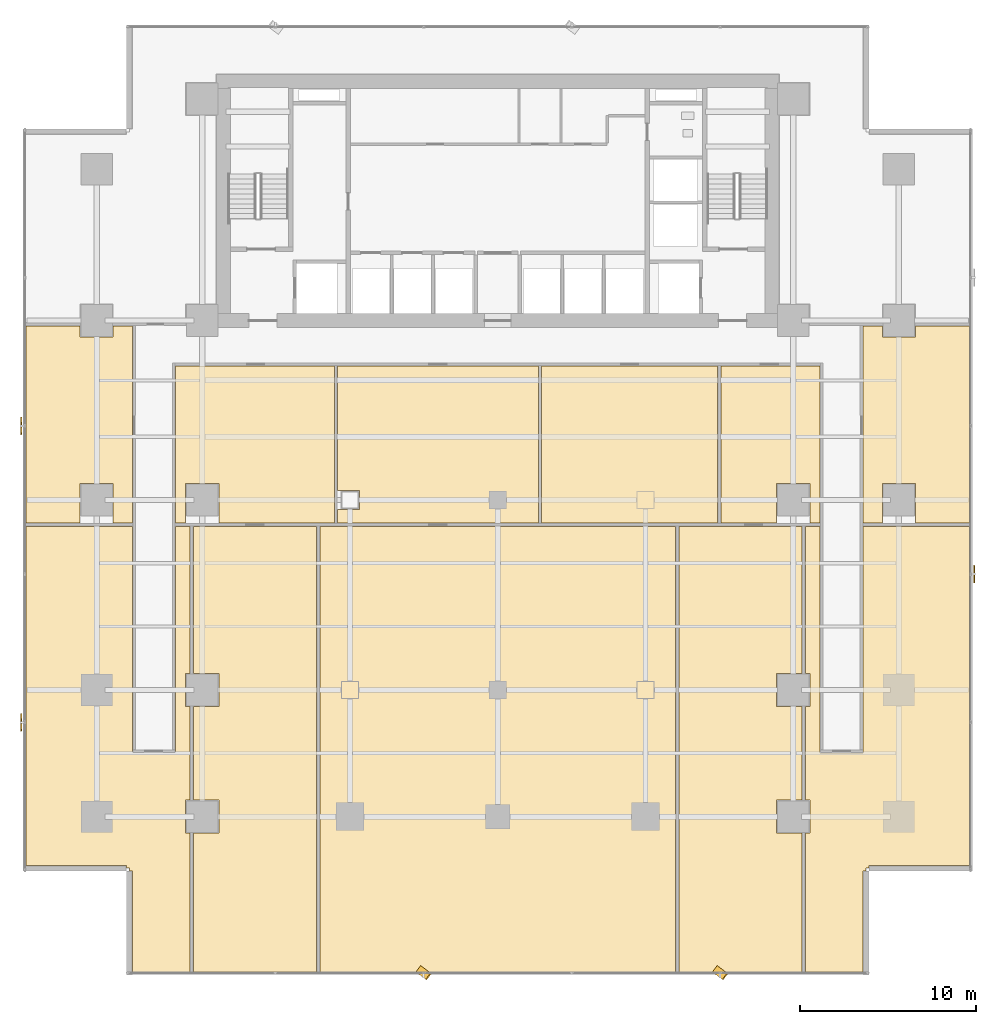
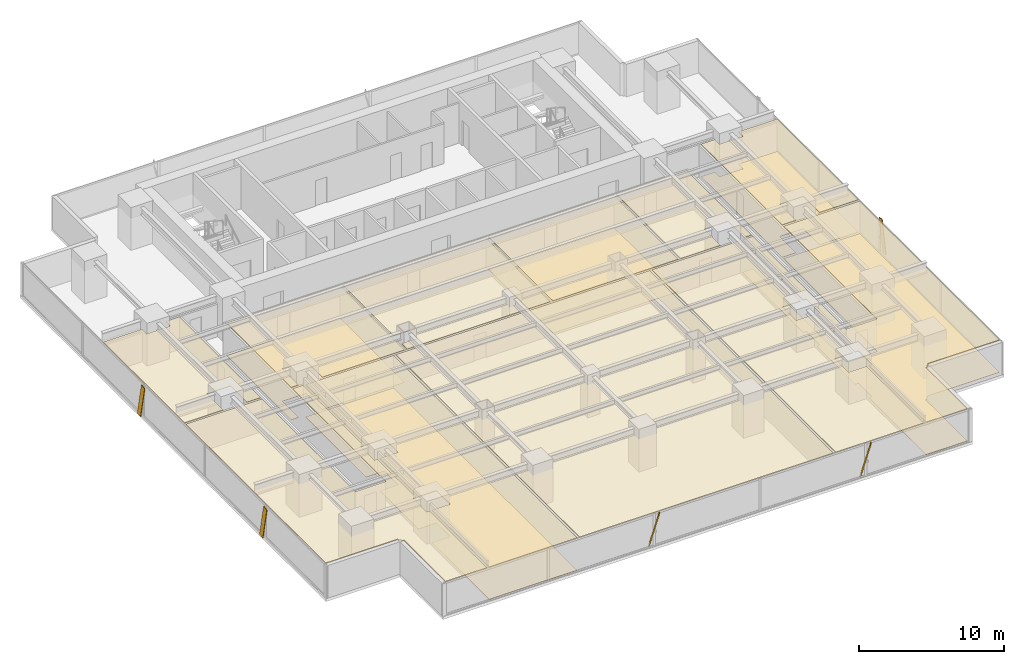
# One storey, part 28 of 32: 16 coverings, 5 shading devices.
"""IFC4 building model written with IfcOpenShell, lengths in metres."""

from ifc_helpers import new_model, si_unit, direction, frame, origin, origin_2d, place, context, subcontext, project, spatial, polyline, rectangle, outline, extrude, source, transform, mapped, material, layer, layer_set, material_profile, profile_set, type_object, element, save


model = new_model("IFC4")

# Units and contexts
model_context = context("Model", 3, precision=1e-05, world=origin(), true_north=direction((0.0, 1.0)))
body_context = subcontext(model_context, "Body", "Model", "MODEL_VIEW")
ifc_project = project(units=[si_unit("LENGTHUNIT", "METRE"), si_unit("AREAUNIT", "SQUARE_METRE"), si_unit("VOLUMEUNIT", "CUBIC_METRE"), si_unit("PLANEANGLEUNIT", "RADIAN"), si_unit("MASSUNIT", "GRAM", prefix="KILO")], contexts=[model_context])

# Site, building, storey
site_placement = place(None, origin())
site = spatial("IfcSite", under=ifc_project, at=site_placement, CompositionType="ELEMENT")
building_placement = place(site_placement, origin())
building = spatial("IfcBuilding", under=site, at=building_placement, Name="Sumidabori Civic Tower", CompositionType="ELEMENT")
storey_placement = place(building_placement, frame((0.0, 0.0, 48.800048828125)))
storey = spatial("IfcBuildingStorey", under=building, at=storey_placement, Name="L12", CompositionType="ELEMENT", Elevation=48.800048828125)

# Coverings
ifc_material_1 = material(Name="Anodised Bronze Baffle Ceiling")
ifc_layer_1 = layer(ifc_material_1, 0.054931640625, Name="Anodised Bronze Baffle Ceiling")
ifc_layer_set_1 = layer_set([ifc_layer_1], Name="Anodised Bronze Baffle Ceiling")
covering_type_1 = type_object("IfcCoveringType", Name="CV-CEIL-AC3", PredefinedType="CEILING", material=ifc_layer_set_1)
covering_1_placement = place(storey_placement, frame((0.0, 0.0, 2.7099609375)))
element("IfcCovering", 1, at=covering_1_placement, inside=storey, type_object=covering_type_1, Name="Room Acoustic Ceiling L12-02", PredefinedType="CEILING", context=body_context, shape_type="SweptSolid", body=[
    extrude(outline(polyline([(-26.830078125, -1.304931640625), (-26.830078125, 9.905029296875), (-23.739990234375, 9.905029296875), (-23.739990234375, 9.260009765625), (-21.860107421875, 9.260009765625), (-21.860107421875, 9.905029296875), (-20.77001953125, 9.905029296875), (-20.77001953125, -1.304931640625), (-21.860107421875, -1.304931640625), (-21.860107421875, 0.93994140625), (-23.739990234375, 0.93994140625), (-23.739990234375, -1.304931640625), (-26.830078125, -1.304931640625)])), origin(), (0.0, 0.0, 1.0), 0.054931640625),
])
covering_2_placement = place(storey_placement, frame((0.0, 0.0, 2.7099609375)))
element("IfcCovering", 2, at=covering_2_placement, inside=storey, type_object=covering_type_1, Name="Room Acoustic Ceiling L12-03", PredefinedType="CEILING", context=body_context, shape_type="SweptSolid", body=[
    extrude(outline(polyline([(20.77001953125, 9.905029296875), (21.860107421875, 9.905029296875), (21.860107421875, 9.260009765625), (23.739990234375, 9.260009765625), (23.739990234375, 9.905029296875), (26.830078125, 9.905029296875), (26.830078125, -1.304931640625), (23.739990234375, -1.304931640625), (23.739990234375, 0.93994140625), (21.860107421875, 0.93994140625), (21.860107421875, -1.304931640625), (20.77001953125, -1.304931640625), (20.77001953125, 9.905029296875)])), origin(), (0.0, 0.0, 1.0), 0.054931640625),
])
covering_3_placement = place(storey_placement, frame((0.0, 0.0, 2.7099609375)))
element("IfcCovering", 3, at=covering_3_placement, inside=storey, type_object=covering_type_1, Name="Room Acoustic Ceiling L12-04", PredefinedType="CEILING", context=body_context, shape_type="SweptSolid", body=[
    extrude(outline(polyline([(12.695068359375, 7.6298828125), (18.330078125, 7.6298828125), (18.330078125, -1.304931640625), (17.739990234375, -1.304931640625), (17.739990234375, 0.93994140625), (15.860107421875, 0.93994140625), (15.860107421875, -1.304931640625), (12.695068359375, -1.304931640625), (12.695068359375, 7.6298828125)])), origin(), (0.0, 0.0, 1.0), 0.054931640625),
])
covering_4_placement = place(storey_placement, frame((0.0, 0.0, 2.7099609375)))
element("IfcCovering", 4, at=covering_4_placement, inside=storey, type_object=covering_type_1, Name="Room Acoustic Ceiling L12-05", PredefinedType="CEILING", context=body_context, shape_type="SweptSolid", body=[
    extrude(outline(polyline([(-18.330078125, 7.6298828125), (-9.294921875, 7.6298828125), (-9.294921875, -1.304931640625), (-15.860107421875, -1.304931640625), (-15.860107421875, 0.93994140625), (-17.739990234375, 0.93994140625), (-17.739990234375, -1.304931640625), (-18.330078125, -1.304931640625), (-18.330078125, 7.6298828125)])), origin(), (0.0, 0.0, 1.0), 0.054931640625),
])
covering_5_placement = place(storey_placement, frame((0.0, 0.0, 2.7099609375)))
element("IfcCovering", 5, at=covering_5_placement, inside=storey, type_object=covering_type_1, Name="Room Acoustic Ceiling L12-06", PredefinedType="CEILING", context=body_context, shape_type="SweptSolid", body=[
    extrude(outline(polyline([(-9.10498046875, -0.5400390625), (-7.860107421875, -0.5400390625), (-7.860107421875, 0.5400390625), (-9.10498046875, 0.5400390625), (-9.10498046875, 7.6298828125), (2.304931640625, 7.6298828125), (2.304931640625, -1.304931640625), (-9.10498046875, -1.304931640625), (-9.10498046875, -0.5400390625)])), origin(), (0.0, 0.0, 1.0), 0.054931640625),
])
covering_6_placement = place(storey_placement, frame((0.0, 0.0, 2.7099609375)))
element("IfcCovering", 6, at=covering_6_placement, inside=storey, type_object=covering_type_1, Name="Room Acoustic Ceiling L12-07", PredefinedType="CEILING", context=body_context, shape_type="SweptSolid", body=[
    extrude(outline(polyline([(2.4951171875, 7.6298828125), (12.5048828125, 7.6298828125), (12.5048828125, -1.304931640625), (2.4951171875, -1.304931640625), (2.4951171875, 7.6298828125)])), origin(), (0.0, 0.0, 1.0), 0.054931640625),
])
covering_7_placement = place(storey_placement, frame((0.0, 0.0, 2.7099609375)))
element("IfcCovering", 7, at=covering_7_placement, inside=storey, type_object=covering_type_1, Name="Room Acoustic Ceiling L12-08", PredefinedType="CEILING", context=body_context, shape_type="SweptSolid", body=[
    extrude(outline(polyline([(-26.830078125, -20.77197265625), (-26.830078125, -1.4951171875), (-20.77001953125, -1.4951171875), (-20.77001953125, -14.3701171875), (-18.330078125, -14.3701171875), (-18.330078125, -1.4951171875), (-17.4951171875, -1.4951171875), (-17.4951171875, -9.860107421875), (-17.739990234375, -9.860107421875), (-17.739990234375, -11.739990234375), (-17.4951171875, -11.739990234375), (-17.4951171875, -17.06005859375), (-17.739990234375, -17.06005859375), (-17.739990234375, -18.93994140625), (-17.4951171875, -18.93994140625), (-17.4951171875, -26.830078125), (-20.77197265625, -26.830078125), (-20.77197265625, -21.092041015625), (-20.929931640625, -21.092041015625), (-20.929931640625, -20.929931640625), (-21.092041015625, -20.929931640625), (-21.092041015625, -20.77197265625), (-26.830078125, -20.77197265625)])), origin(), (0.0, 0.0, 1.0), 0.054931640625),
])
covering_8_placement = place(storey_placement, frame((0.0, 0.0, 2.7099609375)))
element("IfcCovering", 8, at=covering_8_placement, inside=storey, type_object=covering_type_1, Name="Room Acoustic Ceiling L12-09", PredefinedType="CEILING", context=body_context, shape_type="SweptSolid", body=[
    extrude(outline(polyline([(18.330078125, -14.3701171875), (20.77001953125, -14.3701171875), (20.77001953125, -1.4951171875), (26.830078125, -1.4951171875), (26.830078125, -20.77197265625), (21.092041015625, -20.77197265625), (21.092041015625, -20.929931640625), (20.929931640625, -20.929931640625), (20.929931640625, -21.092041015625), (20.77197265625, -21.092041015625), (20.77197265625, -26.830078125), (17.4951171875, -26.830078125), (17.4951171875, -18.93994140625), (17.739990234375, -18.93994140625), (17.739990234375, -17.06005859375), (17.4951171875, -17.06005859375), (17.4951171875, -11.739990234375), (17.739990234375, -11.739990234375), (17.739990234375, -9.860107421875), (17.4951171875, -9.860107421875), (17.4951171875, -1.4951171875), (18.330078125, -1.4951171875), (18.330078125, -14.3701171875)])), origin(), (0.0, 0.0, 1.0), 0.054931640625),
])
covering_9_placement = place(storey_placement, frame((0.0, 0.0, 2.7099609375)))
element("IfcCovering", 9, at=covering_9_placement, inside=storey, type_object=covering_type_1, Name="Room Acoustic Ceiling L12-10", PredefinedType="CEILING", context=body_context, shape_type="SweptSolid", body=[
    extrude(outline(polyline([(10.10498046875, -26.830078125), (-10.10498046875, -26.830078125), (-10.10498046875, -1.4951171875), (10.10498046875, -1.4951171875), (10.10498046875, -26.830078125)])), origin(), (0.0, 0.0, 1.0), 0.054931640625),
])
covering_10_placement = place(storey_placement, frame((0.0, 0.0, 2.7099609375)))
element("IfcCovering", 10, at=covering_10_placement, inside=storey, type_object=covering_type_1, Name="Room Acoustic Ceiling L12-11", PredefinedType="CEILING", context=body_context, shape_type="SweptSolid", body=[
    extrude(outline(polyline([(-10.294921875, -26.830078125), (-17.304931640625, -26.830078125), (-17.304931640625, -18.93994140625), (-15.860107421875, -18.93994140625), (-15.860107421875, -17.06005859375), (-17.304931640625, -17.06005859375), (-17.304931640625, -11.739990234375), (-15.860107421875, -11.739990234375), (-15.860107421875, -9.860107421875), (-17.304931640625, -9.860107421875), (-17.304931640625, -1.4951171875), (-10.294921875, -1.4951171875), (-10.294921875, -26.830078125)])), origin(), (0.0, 0.0, 1.0), 0.054931640625),
])
covering_11_placement = place(storey_placement, frame((0.0, 0.0, 2.7099609375)))
element("IfcCovering", 11, at=covering_11_placement, inside=storey, type_object=covering_type_1, Name="Room Acoustic Ceiling L12-12", PredefinedType="CEILING", context=body_context, shape_type="SweptSolid", body=[
    extrude(outline(polyline([(17.304931640625, -9.860107421875), (15.860107421875, -9.860107421875), (15.860107421875, -11.739990234375), (17.304931640625, -11.739990234375), (17.304931640625, -17.06005859375), (15.860107421875, -17.06005859375), (15.860107421875, -18.93994140625), (17.304931640625, -18.93994140625), (17.304931640625, -26.830078125), (10.294921875, -26.830078125), (10.294921875, -1.4951171875), (17.304931640625, -1.4951171875), (17.304931640625, -9.860107421875)])), origin(), (0.0, 0.0, 1.0), 0.054931640625),
])
ifc_material_2 = material(Name="Honed Terrazzo Tile Flooring")
ifc_layer_2 = layer(ifc_material_2, 0.030029296875, Name="Honed Terrazzo Tile Flooring")
ifc_layer_set_2 = layer_set([ifc_layer_2], Name="Honed Terrazzo Tile Flooring")
covering_type_2 = type_object("IfcCoveringType", Name="CV-FLR-TER", PredefinedType="FLOORING", material=ifc_layer_set_2)
covering_12_placement = place(storey_placement, origin())
element("IfcCovering", 12, at=covering_12_placement, inside=storey, type_object=covering_type_2, Name="Room Terrazzo Floor L12-03", PredefinedType="FLOORING", context=body_context, shape_type="SweptSolid", body=[
    extrude(outline(polyline([(20.77001953125, 9.905029296875), (21.860107421875, 9.905029296875), (21.860107421875, 9.260009765625), (23.739990234375, 9.260009765625), (23.739990234375, 9.905029296875), (26.830078125, 9.905029296875), (26.830078125, -1.304931640625), (23.739990234375, -1.304931640625), (23.739990234375, 0.93994140625), (21.860107421875, 0.93994140625), (21.860107421875, -1.304931640625), (20.77001953125, -1.304931640625), (20.77001953125, 9.905029296875)])), origin(), (0.0, 0.0, 1.0), 0.030029296875),
])
covering_13_placement = place(storey_placement, origin())
element("IfcCovering", 13, at=covering_13_placement, inside=storey, type_object=covering_type_2, Name="Room Terrazzo Floor L12-05", PredefinedType="FLOORING", context=body_context, shape_type="SweptSolid", body=[
    extrude(outline(polyline([(-18.330078125, 7.6298828125), (-9.294921875, 7.6298828125), (-9.294921875, -1.304931640625), (-15.860107421875, -1.304931640625), (-15.860107421875, 0.93994140625), (-17.739990234375, 0.93994140625), (-17.739990234375, -1.304931640625), (-18.330078125, -1.304931640625), (-18.330078125, 7.6298828125)])), origin(), (0.0, 0.0, 1.0), 0.030029296875),
])
covering_14_placement = place(storey_placement, origin())
element("IfcCovering", 14, at=covering_14_placement, inside=storey, type_object=covering_type_2, Name="Room Terrazzo Floor L12-07", PredefinedType="FLOORING", context=body_context, shape_type="SweptSolid", body=[
    extrude(outline(polyline([(2.4951171875, 7.6298828125), (12.5048828125, 7.6298828125), (12.5048828125, -1.304931640625), (2.4951171875, -1.304931640625), (2.4951171875, 7.6298828125)])), origin(), (0.0, 0.0, 1.0), 0.030029296875),
])
covering_15_placement = place(storey_placement, origin())
element("IfcCovering", 15, at=covering_15_placement, inside=storey, type_object=covering_type_2, Name="Room Terrazzo Floor L12-09", PredefinedType="FLOORING", context=body_context, shape_type="SweptSolid", body=[
    extrude(outline(polyline([(18.330078125, -14.3701171875), (20.77001953125, -14.3701171875), (20.77001953125, -1.4951171875), (26.830078125, -1.4951171875), (26.830078125, -20.77197265625), (21.092041015625, -20.77197265625), (21.092041015625, -20.929931640625), (20.929931640625, -20.929931640625), (20.929931640625, -21.092041015625), (20.77197265625, -21.092041015625), (20.77197265625, -26.830078125), (17.4951171875, -26.830078125), (17.4951171875, -18.93994140625), (17.739990234375, -18.93994140625), (17.739990234375, -17.06005859375), (17.4951171875, -17.06005859375), (17.4951171875, -11.739990234375), (17.739990234375, -11.739990234375), (17.739990234375, -9.860107421875), (17.4951171875, -9.860107421875), (17.4951171875, -1.4951171875), (18.330078125, -1.4951171875), (18.330078125, -14.3701171875)])), origin(), (0.0, 0.0, 1.0), 0.030029296875),
])
covering_16_placement = place(storey_placement, origin())
element("IfcCovering", 16, at=covering_16_placement, inside=storey, type_object=covering_type_2, Name="Room Terrazzo Floor L12-11", PredefinedType="FLOORING", context=body_context, shape_type="SweptSolid", body=[
    extrude(outline(polyline([(-10.294921875, -26.830078125), (-17.304931640625, -26.830078125), (-17.304931640625, -18.93994140625), (-15.860107421875, -18.93994140625), (-15.860107421875, -17.06005859375), (-17.304931640625, -17.06005859375), (-17.304931640625, -11.739990234375), (-15.860107421875, -11.739990234375), (-15.860107421875, -9.860107421875), (-17.304931640625, -9.860107421875), (-17.304931640625, -1.4951171875), (-10.294921875, -1.4951171875), (-10.294921875, -26.830078125)])), origin(), (0.0, 0.0, 1.0), 0.030029296875),
])

# Shading devices
ifc_material_3 = material(Name="Anodised Bronze Aluminium AW-6063-T6", Category="aluminium")
ifc_material_profile = material_profile(ifc_material_3, rectangle(XDim=0.06005859375, YDim=0.449951171875, at=origin_2d()), Name="BRONZE FIN 450x60")
ifc_profile_set = profile_set([ifc_material_profile], Name="Anodised Bronze Aluminium AW-6063-T6")
shading_device_type = type_object("IfcShadingDeviceType", Name="SH-FIN-450", PredefinedType="USERDEFINED", material=ifc_profile_set)
shared_shape_1 = source(origin(), body_context, "Body", "SweptSolid", [
    extrude(rectangle(XDim=0.06005859375, YDim=0.449951171875, at=origin_2d()), origin(), (0.0, 0.0, 1.0), 2.769775390625),
])
for number, where, z_axis, x_axis, name in (
    (17, (-4.493896484375, -26.669921875, 0.02001953125), (0.20211139135, -0.151693721986, 0.967543280787), (0.773832092044, -0.580795913828, -0.252705361643), "Bronze Anodised Diagonal Fin L12-02"),
    (18, (12.362060546875, -26.669921875, 0.02001953125), (0.202195931323, -0.151691019096, 0.967526041035), (0.773939855131, -0.580623579198, -0.252771358975), "Bronze Anodised Diagonal Fin L12-04"),
):
    element("IfcShadingDevice", number, at=place(storey_placement, frame(where, z_axis=z_axis, x_axis=x_axis)), inside=storey, type_object=shading_device_type, Name=name, ObjectType="FIN", PredefinedType="USERDEFINED", context=body_context, shape_type="MappedRepresentation", body=[
        mapped(shared_shape_1, transform((0.0, 0.0, 0.0), x_axis=(1.0, 0.0, 0.0), y_axis=(0.0, 1.0, 0.0), z_axis=(0.0, 0.0, 1.0), scale=1.0)),
    ])
shared_shape_2 = source(origin(), body_context, "Body", "SweptSolid", [
    extrude(rectangle(XDim=0.06005859375, YDim=0.449951171875, at=origin_2d()), origin(), (0.0, 0.0, 1.0), 2.73779296875),
])
for number, where, z_axis, x_axis, name in (
    (19, (27.090087890625, -4.493896484375, 0.02001953125), (0.0, 0.204477700022, 0.978871222477), (-1.0, 0.0, 0.0), "Bronze Anodised Diagonal Fin L12-02"),
    (20, (-27.090087890625, 4.493896484375, 0.02001953125), (0.0, -0.204477700022, 0.978871222477), (-1.0, 0.0, 0.0), "Bronze Anodised Diagonal Fin L12-02"),
    (21, (-27.090087890625, -12.362060546875, 0.02001953125), (0.0, -0.204563143937, 0.978853370093), (-1.0, 0.0, 0.0), "Bronze Anodised Diagonal Fin L12-04"),
):
    element("IfcShadingDevice", number, at=place(storey_placement, frame(where, z_axis=z_axis, x_axis=x_axis)), inside=storey, type_object=shading_device_type, Name=name, ObjectType="FIN", PredefinedType="USERDEFINED", context=body_context, shape_type="MappedRepresentation", body=[
        mapped(shared_shape_2, transform((0.0, 0.0, 0.0), x_axis=(1.0, 0.0, 0.0), y_axis=(0.0, 1.0, 0.0), z_axis=(0.0, 0.0, 1.0), scale=1.0)),
    ])

save(model, "model.ifc")
